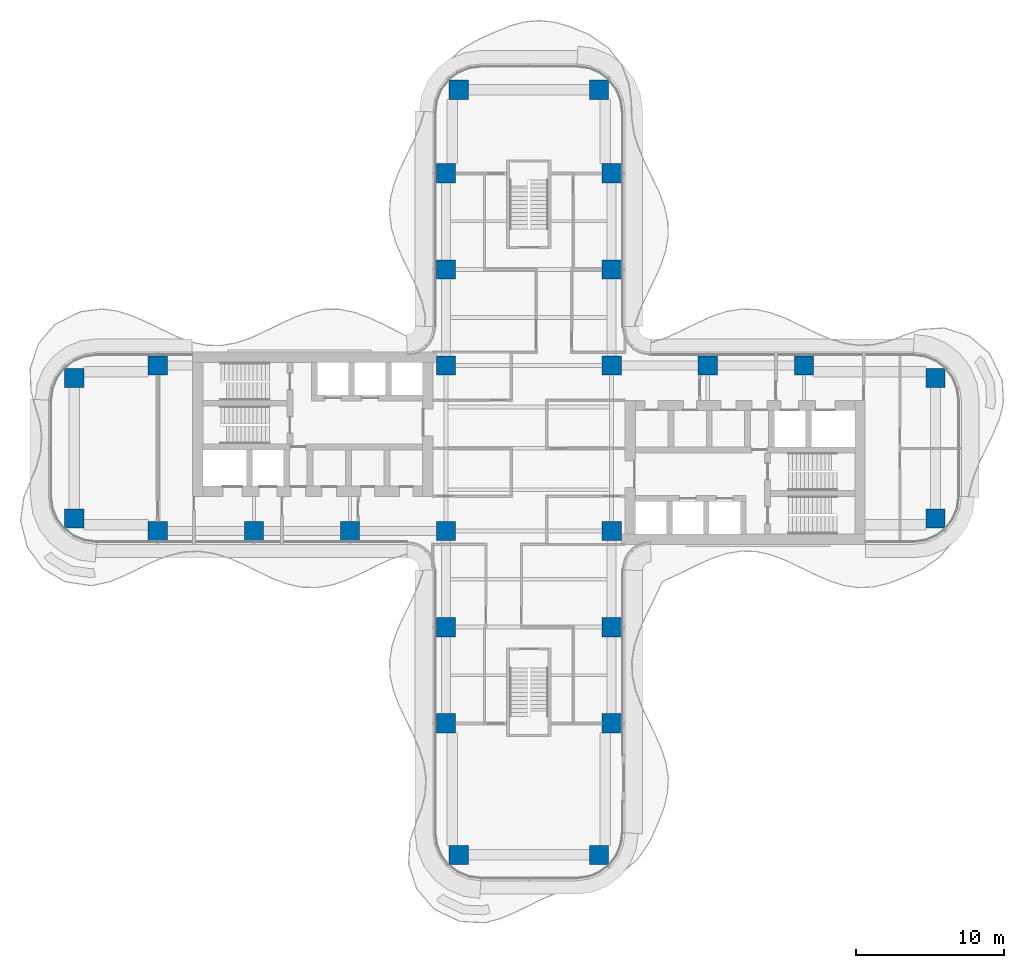
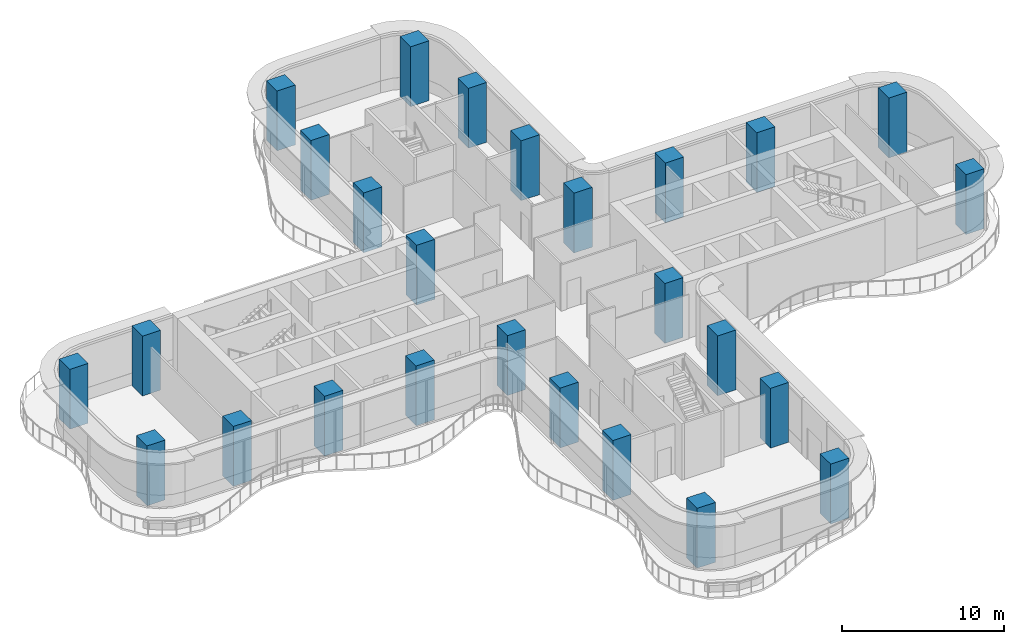
# One storey, part 1 of 21: 26 columns.
"""IFC4 building model written with IfcOpenShell, lengths in metres."""

from ifc_helpers import new_model, si_unit, direction, frame, origin, origin_2d, place, context, subcontext, project, spatial, rectangle, extrude, source, transform, mapped, material, material_profile, profile_set, type_object, element, save


model = new_model("IFC4")

# Units and contexts
model_context = context("Model", 3, precision=1e-05, world=origin(), true_north=direction((0.0, 1.0)))
body_context = subcontext(model_context, "Body", "Model", "MODEL_VIEW")
ifc_project = project(units=[si_unit("LENGTHUNIT", "METRE"), si_unit("AREAUNIT", "SQUARE_METRE"), si_unit("VOLUMEUNIT", "CUBIC_METRE"), si_unit("PLANEANGLEUNIT", "RADIAN"), si_unit("MASSUNIT", "GRAM", prefix="KILO")], contexts=[model_context])

# Site, building, storey
site_placement = place(None, origin())
site = spatial("IfcSite", under=ifc_project, at=site_placement, CompositionType="ELEMENT")
building_placement = place(site_placement, origin())
building = spatial("IfcBuilding", under=site, at=building_placement, Name="Trellis Farm Tower", CompositionType="ELEMENT")
storey_placement = place(building_placement, frame((0.0, 0.0, 106.5)))
storey = spatial("IfcBuildingStorey", under=building, at=storey_placement, Name="L22", CompositionType="ELEMENT", Elevation=106.5)

# Columns
ifc_material = material(Name="Concrete C80/95", Category="concrete")
ifc_material_profile = material_profile(ifc_material, rectangle(XDim=1.300048828125, YDim=1.300048828125, at=origin_2d()), Name="RC column 1300x1300 C80/95")
ifc_profile_set = profile_set([ifc_material_profile], Name="Concrete C80/95")
column_type = type_object("IfcColumnType", Name="RC column 1300x1300 C80/95", PredefinedType="COLUMN", material=ifc_profile_set)
shared_shape = source(origin(), body_context, "Body", "SweptSolid", [
    extrude(rectangle(XDim=1.300048828125, YDim=1.300048828125, at=origin_2d()), origin(), (0.0, 0.0, 1.0), 4.5),
])
for number, where, z_axis, x_axis, name in (
    (1, (12.10009765625, 5.60009765625, 0.0), (0.0, 0.0, 1.0), (1.0, 0.0, 0.0), "Column"),
    (2, (18.60009765625, 5.60009765625, 0.0), (0.0, 0.0, 1.0), (1.0, 0.0, 0.0), "Column"),
    (3, (27.5, 4.75, 0.0), (0.0, 0.0, 1.0), (1.0, 0.0, 0.0), "Column"),
    (4, (27.5, -4.75, 0.0), (0.0, 0.0, 1.0), (1.0, 0.0, 0.0), "Column"),
    (5, (-5.60009765625, 12.10009765625, 0.0), (0.0, 0.0, 1.0), (1.0, 0.0, 0.0), "Column"),
    (6, (-5.60009765625, 18.60009765625, 0.0), (0.0, 0.0, 1.0), (1.0, 0.0, 0.0), "Column"),
    (7, (-4.75, 24.25, 0.0), (0.0, 0.0, 1.0), (1.0, 0.0, 0.0), "Column"),
    (8, (5.60009765625, 12.10009765625, 0.0), (0.0, 0.0, 1.0), (1.0, 0.0, 0.0), "Column"),
    (9, (5.60009765625, 18.60009765625, 0.0), (0.0, 0.0, 1.0), (1.0, 0.0, 0.0), "Column"),
    (10, (4.75, 24.25, 0.0), (0.0, 0.0, 1.0), (1.0, 0.0, 0.0), "Column"),
    (11, (5.60009765625, 5.60009765625, 0.0), (0.0, 0.0, 1.0), (1.0, 0.0, 0.0), "Column"),
    (12, (-5.60009765625, 5.60009765625, 0.0), (0.0, 0.0, 1.0), (1.0, 0.0, 0.0), "Column"),
    (13, (5.60009765625, -5.60009765625, 0.0), (0.0, 0.0, 1.0), (1.0, 0.0, 0.0), "Column"),
    (14, (-5.60009765625, -5.60009765625, 0.0), (0.0, 0.0, 1.0), (1.0, 0.0, 0.0), "Column"),
    (15, (5.60009765625, -12.10009765625, 0.0), (0.0, 0.0, 1.0), (1.0, 0.0, 0.0), "Column"),
    (16, (5.60009765625, -18.60009765625, 0.0), (0.0, 0.0, 1.0), (1.0, 0.0, 0.0), "Column"),
    (17, (4.75, -27.5, 0.0), (0.0, 0.0, 1.0), (1.0, 0.0, 0.0), "Column"),
    (18, (-5.60009765625, -12.10009765625, 0.0), (0.0, 0.0, 1.0), (1.0, 0.0, 0.0), "Column"),
    (19, (-5.60009765625, -18.60009765625, 0.0), (0.0, 0.0, 1.0), (1.0, 0.0, 0.0), "Column"),
    (20, (-4.75, -27.5, 0.0), (0.0, 0.0, 1.0), (1.0, 0.0, 0.0), "Column"),
    (21, (-12.10009765625, -5.60009765625, 0.0), (0.0, 0.0, 1.0), (1.0, 0.0, 0.0), "Column"),
    (22, (-18.60009765625, -5.60009765625, 0.0), (0.0, 0.0, 1.0), (1.0, 0.0, 0.0), "Column"),
    (23, (-25.10009765625, -5.60009765625, 0.0), (0.0, 0.0, 1.0), (1.0, 0.0, 0.0), "Column"),
    (24, (-30.75, -4.75, 0.0), (0.0, 0.0, 1.0), (1.0, 0.0, 0.0), "Column"),
    (25, (-25.10009765625, 5.60009765625, 0.0), (0.0, 0.0, 1.0), (1.0, 0.0, 0.0), "Column"),
    (26, (-30.75, 4.75, 0.0), (0.0, 0.0, 1.0), (1.0, 0.0, 0.0), "Column"),
):
    element("IfcColumn", number, at=place(storey_placement, frame(where, z_axis=z_axis, x_axis=x_axis)), inside=storey, type_object=column_type, Name=name, PredefinedType="COLUMN", context=body_context, shape_type="MappedRepresentation", body=[
        mapped(shared_shape, transform((0.0, 0.0, 0.0))),
    ])

save(model, "model.ifc")
